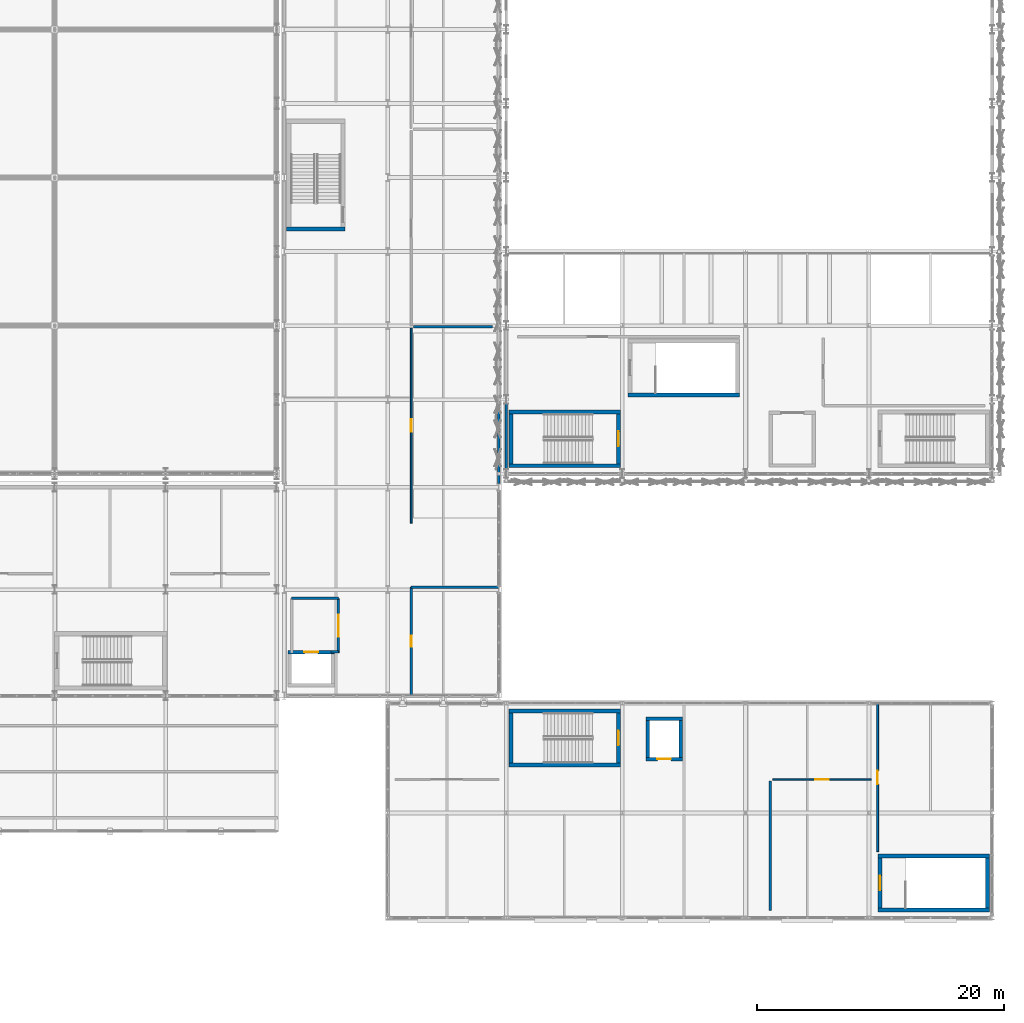
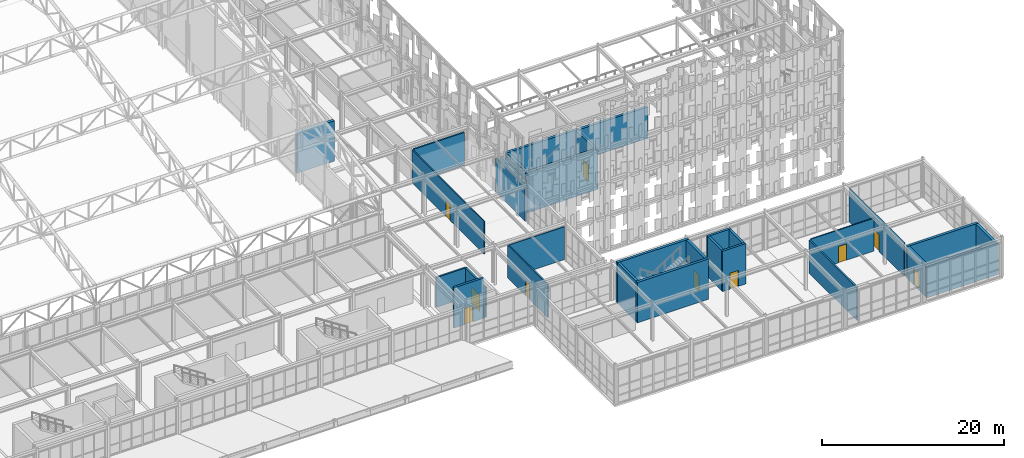
# One storey, part 204 of 239: 31 walls, 10 doors, 10 openings.
"""IFC4 building model written with IfcOpenShell, lengths in metres."""

from ifc_helpers import new_model, si_unit, direction, frame, frame_2d, origin, place, context, subcontext, project, spatial, rectangle, extrude, material, layer, layer_set, type_object, element, fill, save


model = new_model("IFC4")

# Units and contexts
model_context = context("Model", 3, precision=1e-05, world=origin(), true_north=direction((0.0, 1.0)))
body_context = subcontext(model_context, "Body", "Model", "MODEL_VIEW")
ifc_project = project(units=[si_unit("LENGTHUNIT", "METRE"), si_unit("AREAUNIT", "SQUARE_METRE"), si_unit("VOLUMEUNIT", "CUBIC_METRE"), si_unit("PLANEANGLEUNIT", "RADIAN"), si_unit("MASSUNIT", "GRAM", prefix="KILO")], contexts=[model_context])

# Site, building, storey
site_placement = place(None, origin())
site = spatial("IfcSite", under=ifc_project, at=site_placement, CompositionType="ELEMENT")
building_placement = place(site_placement, origin())
building = spatial("IfcBuilding", under=site, at=building_placement, Name="Kaldris Quays Convention Centre", CompositionType="ELEMENT")
storey_placement = place(building_placement, frame((0.0, 0.0, 11.39990234375)))
storey = spatial("IfcBuildingStorey", under=building, at=storey_placement, Name="L02", CompositionType="ELEMENT", Elevation=11.39990234375)

# Walls
ifc_material_1 = material(Name="Anodized aluminium insulated cassette", Category="aluminium")
ifc_layer_1 = layer(ifc_material_1, 0.221923828125)
ifc_layer_set_1 = layer_set([ifc_layer_1], Name="Anodized aluminium insulated cassette")
wall_type_1 = type_object("IfcWallType", Name="EXTERIOR WALL EW06", PredefinedType="STANDARD", material=ifc_layer_set_1)
wall_1_placement = place(storey_placement, frame((164.0, 55.196044921875, 0.0), z_axis=(0.0, 0.0, 1.0), x_axis=(0.0, 1.0, 0.0)))
element("IfcWall", 1, at=wall_1_placement, inside=storey, type_object=wall_type_1, Name="L02 Exterior Wall EW06 307", PredefinedType="STANDARD", context=body_context, shape_type="SweptSolid", body=[
    extrude(rectangle(XDim=6.508056640625, YDim=0.221923828125, at=frame_2d((3.25390625, 0.0))), origin(), (0.0, 0.0, 1.0), 4.548095703125),
])
ifc_layer_2 = layer(ifc_material_1, 0.201904296875)
ifc_layer_set_2 = layer_set([ifc_layer_2], Name="Anodized aluminium insulated cassette")
wall_type_2 = type_object("IfcWallType", Name="EXTERIOR WALL EW07", PredefinedType="STANDARD", material=ifc_layer_set_2)
wall_2_placement = place(storey_placement, frame((164.60009765625, 56.345947265625, 0.0), z_axis=(0.0, 0.0, 1.0), x_axis=(0.0, 1.0, 0.0)))
element("IfcWall", 2, at=wall_2_placement, inside=storey, type_object=wall_type_2, Name="L02 Exterior Wall EW07 137", PredefinedType="STANDARD", context=body_context, shape_type="SweptSolid", body=[
    extrude(rectangle(XDim=5.30810546875, YDim=0.201904296875, at=frame_2d((2.654052734375, 0.0))), origin(), (0.0, 0.0, 1.0), 4.548095703125),
])

# Wall, opening, door
ifc_material_2 = material(Name="Concrete C35/45", Category="concrete")
ifc_layer_3 = layer(ifc_material_2, 0.199951171875)
ifc_layer_set_3 = layer_set([ifc_layer_3], Name="Concrete C35/45")
wall_type_3 = type_object("IfcWallType", Name="INTERIOR WALL IW01", PredefinedType="PARTITIONING", material=ifc_layer_set_3)
wall_3_placement = place(storey_placement, frame((151.0, 41.449951171875, 0.0), z_axis=(0.0, 0.0, 1.0), x_axis=(0.0, 1.0, 0.0)))
wall_3 = element("IfcWall", 3, at=wall_3_placement, inside=storey, type_object=wall_type_3, Name="L02 Firefighting Lift Lobby FL02 Wall E", PredefinedType="PARTITIONING", context=body_context, shape_type="SweptSolid", body=[
    extrude(rectangle(XDim=4.449951171875, YDim=0.199951171875, at=frame_2d((2.22509765625, 0.0))), origin(), (0.0, 0.0, 1.0), 4.0),
])
opening_1_placement = place(wall_3_placement, frame((1.324951171875, 0.0, 0.0)))
opening_1 = element("IfcOpeningElement", 4, at=opening_1_placement, cuts=wall_3, Name="Opening ID02", PredefinedType="OPENING", context=body_context, shape_type="SweptSolid", body=[
    extrude(rectangle(XDim=1.800048828125, YDim=2.199951171875, at=frame_2d((0.89990234375, 1.10009765625))), frame((0.0, 0.10986328125, 0.0), z_axis=(0.0, -1.0, 0.0), x_axis=(1.0, 0.0, 0.0)), (0.0, 0.0, 1.0), 0.219970703125),
])
ifc_material_3 = material(Name="Steel S355J2 fire-resisting door", Category="steel")
door_type_1 = type_object("IfcDoorType", Name="INTERIOR DOOR ID02", OperationType="DOUBLE_DOOR_SINGLE_SWING", PredefinedType="DOOR", material=ifc_material_3)
door_1_placement = place(opening_1_placement, frame((1.800048828125, 0.0, 0.0), z_axis=(0.0, 0.0, 1.0), x_axis=(-1.0, 0.0, 0.0)))
door_1 = element("IfcDoor", 5, at=door_1_placement, inside=storey, type_object=door_type_1, Name="L02 Firefighting Lift Lobby FL02 Fire Door", OperationType="DOUBLE_DOOR_SINGLE_SWING", OverallHeight=2.199951171875, OverallWidth=1.800048828125, PredefinedType="DOOR", context=body_context, shape_type="SweptSolid", body=[
    extrude(rectangle(XDim=1.800048828125, YDim=2.199951171875, at=frame_2d((0.89990234375, 1.10009765625))), frame((0.0, 0.02490234375, 0.0), z_axis=(0.0, -1.0, 0.0), x_axis=(1.0, 0.0, 0.0)), (0.0, 0.0, 1.0), 0.050048828125),
])
fill(opening_1, door_1)

# Walls
wall_4_placement = place(storey_placement, frame((147.199951171875, 45.89990234375, 0.0), z_axis=(0.0, 0.0, 1.0), x_axis=(1.0, 0.0, 0.0)))
element("IfcWall", 6, at=wall_4_placement, inside=storey, type_object=wall_type_3, Name="L02 Firefighting Lift Lobby FL02 Wall N", PredefinedType="PARTITIONING", context=body_context, shape_type="SweptSolid", body=[
    extrude(rectangle(XDim=3.800048828125, YDim=0.199951171875, at=frame_2d((1.89990234375, 0.0))), origin(), (0.0, 0.0, 1.0), 4.0),
])
wall_5_placement = place(storey_placement, frame((150.39990234375, 41.56005859375, 0.0), z_axis=(0.0, 0.0, 1.0), x_axis=(1.0, 0.0, 0.0)))
element("IfcWall", 7, at=wall_5_placement, inside=storey, type_object=wall_type_3, Name="L02 Firefighting Lift Lobby FL02 Wall S", PredefinedType="PARTITIONING", context=body_context, shape_type="SweptSolid", body=[
    extrude(rectangle(XDim=0.60009765625, YDim=0.199951171875, at=frame_2d((0.300048828125, 0.0))), origin(), (0.0, 0.0, 1.0), 4.0),
])

# Wall, opening, door
ifc_material_4 = material(Name="Acoustic gypsum stud partition", Category="gypsum")
ifc_layer_4 = layer(ifc_material_4, 0.177978515625)
ifc_layer_set_4 = layer_set([ifc_layer_4], Name="Acoustic gypsum stud partition")
wall_type_4 = type_object("IfcWallType", Name="INTERIOR WALL IW02", PredefinedType="PARTITIONING", material=ifc_layer_set_4)
wall_6_placement = place(storey_placement, frame((156.89990234375, 38.0, 0.0), z_axis=(0.0, 0.0, 1.0), x_axis=(0.0, 1.0, 0.0)))
wall_6 = element("IfcWall", 8, at=wall_6_placement, inside=storey, type_object=wall_type_4, Name="L02 Interior Wall IW02 90", PredefinedType="PARTITIONING", context=body_context, shape_type="SweptSolid", body=[
    extrude(rectangle(XDim=8.800048828125, YDim=0.177978515625, at=frame_2d((4.39990234375, 0.0))), origin(), (0.0, 0.0, 1.0), 4.400146484375),
])
opening_2_placement = place(wall_6_placement, frame((3.949951171875, 0.0, 0.0)))
opening_2 = element("IfcOpeningElement", 9, at=opening_2_placement, cuts=wall_6, Name="Opening ID12", PredefinedType="OPENING", context=body_context, shape_type="SweptSolid", body=[
    extrude(rectangle(XDim=0.89990234375, YDim=2.080078125, at=frame_2d((0.449951171875, 1.0400390625))), frame((0.0, 0.09912109375, 0.0), z_axis=(0.0, -1.0, 0.0), x_axis=(1.0, 0.0, 0.0)), (0.0, 0.0, 1.0), 0.197998046875),
])
ifc_material_5 = material(Name="Moisture-resistant sanitary room door", Category="wood")
door_type_2 = type_object("IfcDoorType", Name="INTERIOR DOOR ID12", OperationType="NOTDEFINED", PredefinedType="DOOR", material=ifc_material_5)
door_2_placement = place(opening_2_placement, origin())
door_2 = element("IfcDoor", 10, at=door_2_placement, inside=storey, type_object=door_type_2, Name="L02 Interior Door ID12 62", OperationType="SINGLE_SWING_LEFT", OverallHeight=2.080078125, OverallWidth=0.89990234375, PredefinedType="DOOR", context=body_context, shape_type="SweptSolid", body=[
    extrude(rectangle(XDim=0.89990234375, YDim=2.080078125, at=frame_2d((0.449951171875, 1.0400390625))), frame((0.0, 0.02490234375, 0.0), z_axis=(0.0, -1.0, 0.0), x_axis=(1.0, 0.0, 0.0)), (0.0, 0.0, 1.0), 0.050048828125),
])
fill(opening_2, door_2)

# Wall
wall_7_placement = place(storey_placement, frame((156.89990234375, 46.800048828125, 0.0), z_axis=(0.0, 0.0, 1.0), x_axis=(1.0, 0.0, 0.0)))
element("IfcWall", 11, at=wall_7_placement, inside=storey, type_object=wall_type_4, Name="L02 Interior Wall IW02 91", PredefinedType="PARTITIONING", context=body_context, shape_type="SweptSolid", body=[
    extrude(rectangle(XDim=7.10009765625, YDim=0.177978515625, at=frame_2d((3.550048828125, 0.0))), origin(), (0.0, 0.0, 1.0), 4.400146484375),
])

# Wall, opening, door
ifc_layer_5 = layer(ifc_material_4, 0.162109375)
ifc_layer_set_5 = layer_set([ifc_layer_5], Name="Acoustic gypsum stud partition")
wall_type_5 = type_object("IfcWallType", Name="INTERIOR WALL IW03", PredefinedType="PARTITIONING", material=ifc_layer_set_5)
wall_8_placement = place(storey_placement, frame((194.699951171875, 25.35498046875, 0.0), z_axis=(0.0, 0.0, 1.0), x_axis=(0.0, 1.0, 0.0)))
wall_8 = element("IfcWall", 12, at=wall_8_placement, inside=storey, type_object=wall_type_5, Name="L02 Interior Wall IW03 105", PredefinedType="PARTITIONING", context=body_context, shape_type="SweptSolid", body=[
    extrude(rectangle(XDim=12.044921875, YDim=0.162109375, at=frame_2d((6.0224609375, 0.0))), origin(), (0.0, 0.0, 1.0), 4.400146484375),
])
opening_3_placement = place(wall_8_placement, frame((5.46240234375, 0.0, 0.0)))
opening_3 = element("IfcOpeningElement", 13, at=opening_3_placement, cuts=wall_8, Name="Opening ID06", PredefinedType="OPENING", context=body_context, shape_type="SweptSolid", body=[
    extrude(rectangle(XDim=1.1201171875, YDim=2.219970703125, at=frame_2d((0.56005859375, 1.10986328125))), frame((0.0, 0.091064453125, 0.0), z_axis=(0.0, -1.0, 0.0), x_axis=(1.0, 0.0, 0.0)), (0.0, 0.0, 1.0), 0.18212890625),
])
ifc_material_6 = material(Name="Timber acoustic leaf in steel frame", Category="steel")
door_type_3 = type_object("IfcDoorType", Name="INTERIOR DOOR ID06", OperationType="NOTDEFINED", PredefinedType="DOOR", material=ifc_material_6)
door_3_placement = place(opening_3_placement, origin())
door_3 = element("IfcDoor", 14, at=door_3_placement, inside=storey, type_object=door_type_3, Name="L02 Interior Door ID06 70", OperationType="SINGLE_SWING_LEFT", OverallHeight=2.219970703125, OverallWidth=1.1201171875, PredefinedType="DOOR", context=body_context, shape_type="SweptSolid", body=[
    extrude(rectangle(XDim=1.1201171875, YDim=2.219970703125, at=frame_2d((0.56005859375, 1.10986328125))), frame((0.0, 0.02490234375, 0.0), z_axis=(0.0, -1.0, 0.0), x_axis=(1.0, 0.0, 0.0)), (0.0, 0.0, 1.0), 0.050048828125),
])
fill(opening_3, door_3)

ifc_layer_6 = layer(ifc_material_4, 0.134033203125)
ifc_layer_set_6 = layer_set([ifc_layer_6], Name="Acoustic gypsum stud partition")
wall_type_6 = type_object("IfcWallType", Name="INTERIOR WALL IW05", PredefinedType="PARTITIONING", material=ifc_layer_set_6)
wall_9_placement = place(storey_placement, frame((156.89990234375, 52.0, 0.0), z_axis=(0.0, 0.0, 1.0), x_axis=(0.0, 1.0, 0.0)))
wall_9 = element("IfcWall", 15, at=wall_9_placement, inside=storey, type_object=wall_type_6, Name="L02 Interior Wall IW05 92", PredefinedType="PARTITIONING", context=body_context, shape_type="SweptSolid", body=[
    extrude(rectangle(XDim=15.800048828125, YDim=0.134033203125, at=frame_2d((7.89990234375, 0.0))), origin(), (0.0, 0.0, 1.0), 4.400146484375),
])
opening_4_placement = place(wall_9_placement, frame((7.409912109375, 0.0, 0.0)))
opening_4 = element("IfcOpeningElement", 16, at=opening_4_placement, cuts=wall_9, Name="Opening ID13", PredefinedType="OPENING", context=body_context, shape_type="SweptSolid", body=[
    extrude(rectangle(XDim=0.97998046875, YDim=2.139892578125, at=frame_2d((0.489990234375, 1.06982421875))), frame((0.0, 0.0771484375, 0.0), z_axis=(0.0, -1.0, 0.0), x_axis=(1.0, 0.0, 0.0)), (0.0, 0.0, 1.0), 0.154052734375),
])
ifc_material_7 = material(Name="SIA 500 accessible sanitary room door", Category="wood")
door_type_4 = type_object("IfcDoorType", Name="INTERIOR DOOR ID13", OperationType="NOTDEFINED", PredefinedType="DOOR", material=ifc_material_7)
door_4_placement = place(opening_4_placement, origin())
door_4 = element("IfcDoor", 17, at=door_4_placement, inside=storey, type_object=door_type_4, Name="L02 Interior Door ID13 63", OperationType="SINGLE_SWING_RIGHT", OverallHeight=2.139892578125, OverallWidth=0.97998046875, PredefinedType="DOOR", context=body_context, shape_type="SweptSolid", body=[
    extrude(rectangle(XDim=0.97998046875, YDim=2.139892578125, at=frame_2d((0.489990234375, 1.06982421875))), frame((0.0, 0.02490234375, 0.0), z_axis=(0.0, -1.0, 0.0), x_axis=(1.0, 0.0, 0.0)), (0.0, 0.0, 1.0), 0.050048828125),
])
fill(opening_4, door_4)

wall_10_placement = place(storey_placement, frame((186.199951171875, 31.199951171875, 0.0), z_axis=(0.0, 0.0, 1.0), x_axis=(1.0, 0.0, 0.0)))
wall_10 = element("IfcWall", 18, at=wall_10_placement, inside=storey, type_object=wall_type_6, Name="L02 Interior Wall IW05 103", PredefinedType="PARTITIONING", context=body_context, shape_type="SweptSolid", body=[
    extrude(rectangle(XDim=8.0, YDim=0.134033203125, at=frame_2d((4.0, 0.0))), origin(), (0.0, 0.0, 1.0), 4.400146484375),
])
opening_5_placement = place(wall_10_placement, frame((3.469970703125, 0.0, 0.0)))
opening_5 = element("IfcOpeningElement", 19, at=opening_5_placement, cuts=wall_10, Name="Opening ID05", PredefinedType="OPENING", context=body_context, shape_type="SweptSolid", body=[
    extrude(rectangle(XDim=1.06005859375, YDim=2.179931640625, at=frame_2d((0.530029296875, 1.08984375))), frame((0.0, 0.0771484375, 0.0), z_axis=(0.0, -1.0, 0.0), x_axis=(1.0, 0.0, 0.0)), (0.0, 0.0, 1.0), 0.154052734375),
])
door_type_5 = type_object("IfcDoorType", Name="INTERIOR DOOR ID05", OperationType="NOTDEFINED", PredefinedType="DOOR", material=ifc_material_6)
door_5_placement = place(opening_5_placement, origin())
door_5 = element("IfcDoor", 20, at=door_5_placement, inside=storey, type_object=door_type_5, Name="L02 Interior Door ID05 69", OperationType="SINGLE_SWING_RIGHT", OverallHeight=2.179931640625, OverallWidth=1.06005859375, PredefinedType="DOOR", context=body_context, shape_type="SweptSolid", body=[
    extrude(rectangle(XDim=1.06005859375, YDim=2.179931640625, at=frame_2d((0.530029296875, 1.08984375))), frame((0.0, 0.02490234375, 0.0), z_axis=(0.0, -1.0, 0.0), x_axis=(1.0, 0.0, 0.0)), (0.0, 0.0, 1.0), 0.050048828125),
])
fill(opening_5, door_5)

# Walls
ifc_material_8 = material(Name="Steel S355J2 acoustic operable panel", Category="steel")
ifc_layer_7 = layer(ifc_material_8, 0.194091796875)
ifc_layer_set_7 = layer_set([ifc_layer_7], Name="Steel S355J2 acoustic operable panel")
wall_type_7 = type_object("IfcWallType", Name="INTERIOR WALL MW03", PredefinedType="MOVABLE", material=ifc_layer_set_7)
wall_11_placement = place(storey_placement, frame((157.10009765625, 67.89990234375, 0.0), z_axis=(0.0, 0.0, 1.0), x_axis=(1.0, 0.0, 0.0)))
element("IfcWall", 21, at=wall_11_placement, inside=storey, type_object=wall_type_7, Name="L02 Interior Wall MW03 97", PredefinedType="MOVABLE", context=body_context, shape_type="SweptSolid", body=[
    extrude(rectangle(XDim=6.39990234375, YDim=0.194091796875, at=frame_2d((3.199951171875, 0.0))), origin(), (0.0, 0.0, 1.0), 4.400146484375),
])
wall_12_placement = place(storey_placement, frame((186.0, 20.60009765625, 0.0), z_axis=(0.0, 0.0, 1.0), x_axis=(0.0, 1.0, 0.0)))
element("IfcWall", 22, at=wall_12_placement, inside=storey, type_object=wall_type_7, Name="L02 Interior Wall MW03 104", PredefinedType="MOVABLE", context=body_context, shape_type="SweptSolid", body=[
    extrude(rectangle(XDim=10.5, YDim=0.194091796875, at=frame_2d((5.25, 0.0))), origin(), (0.0, 0.0, 1.0), 4.400146484375),
])
ifc_material_9 = material(Name="Concrete C40/50", Category="concrete")
ifc_layer_8 = layer(ifc_material_9, 0.35009765625)
ifc_layer_set_8 = layer_set([ifc_layer_8], Name="Concrete C40/50")
wall_type_8 = type_object("IfcWallType", Name="STRUCTURAL WALL SW01", PredefinedType="SHEAR", material=ifc_layer_set_8)
wall_13_placement = place(storey_placement, frame((146.800048828125, 75.824951171875, 0.0), z_axis=(0.0, 0.0, 1.0), x_axis=(1.0, 0.0, 0.0)))
element("IfcWall", 23, at=wall_13_placement, inside=storey, type_object=wall_type_8, Name="L02 Core Shear Wall CORE-ST14-L02-S", PredefinedType="SHEAR", context=body_context, shape_type="SweptSolid", body=[
    extrude(rectangle(XDim=4.75, YDim=0.35009765625, at=frame_2d((2.375, 0.0))), origin(), (0.0, 0.0, 1.0), 5.400146484375),
])
ifc_layer_9 = layer(ifc_material_9, 0.320068359375)
ifc_layer_set_9 = layer_set([ifc_layer_9], Name="Concrete C40/50")
wall_type_9 = type_object("IfcWallType", Name="STRUCTURAL WALL SW02", PredefinedType="SHEAR", material=ifc_layer_set_9)
for number, where, z_axis, x_axis, name in (
    (24, (164.830078125, 56.639892578125, 0.0), (0.0, 0.0, 1.0), (1.0, 0.0, 0.0), "L02 Core Shear Wall CORE-ST08-L02-S"),
    (25, (164.830078125, 61.010009765625, 0.0), (0.0, 0.0, 1.0), (1.0, 0.0, 0.0), "L02 Core Shear Wall CORE-ST08-L02-N"),
):
    element("IfcWall", number, at=place(storey_placement, frame(where, z_axis=z_axis, x_axis=x_axis)), inside=storey, type_object=wall_type_9, Name=name, PredefinedType="SHEAR", context=body_context, shape_type="SweptSolid", body=[
        extrude(rectangle(XDim=9.0400390625, YDim=0.320068359375, at=frame_2d((4.52001953125, 0.0))), origin(), (0.0, 0.0, 1.0), 5.400146484375),
    ])
wall_14_placement = place(storey_placement, frame((164.989990234375, 56.800048828125, 0.0), z_axis=(0.0, 0.0, 1.0), x_axis=(0.0, 1.0, 0.0)))
element("IfcWall", 26, at=wall_14_placement, inside=storey, type_object=wall_type_9, Name="L02 Core Shear Wall CORE-ST08-L02-W", PredefinedType="SHEAR", context=body_context, shape_type="SweptSolid", body=[
    extrude(rectangle(XDim=4.050048828125, YDim=0.320068359375, at=frame_2d((2.02490234375, 0.0))), origin(), (0.0, 0.0, 1.0), 5.400146484375),
])

# Wall, opening, door
wall_15_placement = place(storey_placement, frame((173.7099609375, 56.800048828125, 0.0), z_axis=(0.0, 0.0, 1.0), x_axis=(0.0, 1.0, 0.0)))
wall_15 = element("IfcWall", 27, at=wall_15_placement, inside=storey, type_object=wall_type_9, Name="L02 Core Shear Wall CORE-ST08-L02-E", PredefinedType="SHEAR", context=body_context, shape_type="SweptSolid", body=[
    extrude(rectangle(XDim=4.050048828125, YDim=0.320068359375, at=frame_2d((2.02490234375, 0.0))), origin(), (0.0, 0.0, 1.0), 5.400146484375),
])
opening_6_placement = place(wall_15_placement, frame((1.425048828125, 0.0, 0.0)))
opening_6 = element("IfcOpeningElement", 28, at=opening_6_placement, cuts=wall_15, Name="Opening ID03", PredefinedType="OPENING", context=body_context, shape_type="SweptSolid", body=[
    extrude(rectangle(XDim=1.199951171875, YDim=2.199951171875, at=frame_2d((0.60009765625, 1.10009765625))), frame((0.0, 0.169921875, 0.0), z_axis=(0.0, -1.0, 0.0), x_axis=(1.0, 0.0, 0.0)), (0.0, 0.0, 1.0), 0.340087890625),
])
door_type_6 = type_object("IfcDoorType", Name="INTERIOR DOOR ID03", OperationType="NOTDEFINED", PredefinedType="DOOR", material=ifc_material_3)
door_6_placement = place(opening_6_placement, origin())
door_6 = element("IfcDoor", 29, at=door_6_placement, inside=storey, type_object=door_type_6, Name="L02 Escape Stair ST08 Fire Door", OperationType="SINGLE_SWING_RIGHT", OverallHeight=2.199951171875, OverallWidth=1.199951171875, PredefinedType="DOOR", context=body_context, shape_type="SweptSolid", body=[
    extrude(rectangle(XDim=1.199951171875, YDim=2.199951171875, at=frame_2d((0.60009765625, 1.10009765625))), frame((0.0, 0.02490234375, 0.0), z_axis=(0.0, -1.0, 0.0), x_axis=(1.0, 0.0, 0.0)), (0.0, 0.0, 1.0), 0.050048828125),
])
fill(opening_6, door_6)

# Walls
wall_16_placement = place(storey_placement, frame((174.47998046875, 62.389892578125, 0.0), z_axis=(0.0, 0.0, 1.0), x_axis=(1.0, 0.0, 0.0)))
element("IfcWall", 30, at=wall_16_placement, inside=storey, type_object=wall_type_9, Name="L02 Core Shear Wall CORE-ST10-L02-S", PredefinedType="SHEAR", context=body_context, shape_type="SweptSolid", body=[
    extrude(rectangle(XDim=9.0400390625, YDim=0.320068359375, at=frame_2d((4.52001953125, 0.0))), origin(), (0.0, 0.0, 1.0), 4.2001953125),
])
for number, where, z_axis, x_axis, name in (
    (31, (164.830078125, 32.389892578125, 0.0), (0.0, 0.0, 1.0), (1.0, 0.0, 0.0), "L02 Core Shear Wall CORE-ST15-L02-S"),
    (32, (164.830078125, 36.760009765625, 0.0), (0.0, 0.0, 1.0), (1.0, 0.0, 0.0), "L02 Core Shear Wall CORE-ST15-L02-N"),
):
    element("IfcWall", number, at=place(storey_placement, frame(where, z_axis=z_axis, x_axis=x_axis)), inside=storey, type_object=wall_type_9, Name=name, PredefinedType="SHEAR", context=body_context, shape_type="SweptSolid", body=[
        extrude(rectangle(XDim=9.0400390625, YDim=0.320068359375, at=frame_2d((4.52001953125, 0.0))), origin(), (0.0, 0.0, 1.0), 5.400146484375),
    ])
wall_17_placement = place(storey_placement, frame((164.989990234375, 32.550048828125, 0.0), z_axis=(0.0, 0.0, 1.0), x_axis=(0.0, 1.0, 0.0)))
element("IfcWall", 33, at=wall_17_placement, inside=storey, type_object=wall_type_9, Name="L02 Core Shear Wall CORE-ST15-L02-W", PredefinedType="SHEAR", context=body_context, shape_type="SweptSolid", body=[
    extrude(rectangle(XDim=4.050048828125, YDim=0.320068359375, at=frame_2d((2.02490234375, 0.0))), origin(), (0.0, 0.0, 1.0), 5.400146484375),
])

# Wall, opening, door
wall_18_placement = place(storey_placement, frame((173.7099609375, 32.550048828125, 0.0), z_axis=(0.0, 0.0, 1.0), x_axis=(0.0, 1.0, 0.0)))
wall_18 = element("IfcWall", 34, at=wall_18_placement, inside=storey, type_object=wall_type_9, Name="L02 Core Shear Wall CORE-ST15-L02-E", PredefinedType="SHEAR", context=body_context, shape_type="SweptSolid", body=[
    extrude(rectangle(XDim=4.050048828125, YDim=0.320068359375, at=frame_2d((2.02490234375, 0.0))), origin(), (0.0, 0.0, 1.0), 5.400146484375),
])
opening_7_placement = place(wall_18_placement, frame((1.425048828125, 0.0, 0.0)))
opening_7 = element("IfcOpeningElement", 35, at=opening_7_placement, cuts=wall_18, Name="Opening ID03", PredefinedType="OPENING", context=body_context, shape_type="SweptSolid", body=[
    extrude(rectangle(XDim=1.199951171875, YDim=2.199951171875, at=frame_2d((0.60009765625, 1.10009765625))), frame((0.0, 0.169921875, 0.0), z_axis=(0.0, -1.0, 0.0), x_axis=(1.0, 0.0, 0.0)), (0.0, 0.0, 1.0), 0.340087890625),
])
door_7_placement = place(opening_7_placement, origin())
door_7 = element("IfcDoor", 36, at=door_7_placement, inside=storey, type_object=door_type_6, Name="L02 Escape Stair ST15 Fire Door", OperationType="SINGLE_SWING_RIGHT", OverallHeight=2.199951171875, OverallWidth=1.199951171875, PredefinedType="DOOR", context=body_context, shape_type="SweptSolid", body=[
    extrude(rectangle(XDim=1.199951171875, YDim=2.199951171875, at=frame_2d((0.60009765625, 1.10009765625))), frame((0.0, 0.02490234375, 0.0), z_axis=(0.0, -1.0, 0.0), x_axis=(1.0, 0.0, 0.0)), (0.0, 0.0, 1.0), 0.050048828125),
])
fill(opening_7, door_7)

# Walls
for number, where, z_axis, x_axis, name in (
    (37, (194.72998046875, 20.639892578125, 0.0), (0.0, 0.0, 1.0), (1.0, 0.0, 0.0), "L02 Core Shear Wall CORE-ST16-L02-S"),
    (38, (194.72998046875, 25.010009765625, 0.0), (0.0, 0.0, 1.0), (1.0, 0.0, 0.0), "L02 Core Shear Wall CORE-ST16-L02-N"),
):
    element("IfcWall", number, at=place(storey_placement, frame(where, z_axis=z_axis, x_axis=x_axis)), inside=storey, type_object=wall_type_9, Name=name, PredefinedType="SHEAR", context=body_context, shape_type="SweptSolid", body=[
        extrude(rectangle(XDim=9.0400390625, YDim=0.320068359375, at=frame_2d((4.52001953125, 0.0))), origin(), (0.0, 0.0, 1.0), 4.2001953125),
    ])

# Wall, opening, door
wall_19_placement = place(storey_placement, frame((194.889892578125, 20.800048828125, 0.0), z_axis=(0.0, 0.0, 1.0), x_axis=(0.0, 1.0, 0.0)))
wall_19 = element("IfcWall", 39, at=wall_19_placement, inside=storey, type_object=wall_type_9, Name="L02 Core Shear Wall CORE-ST16-L02-W", PredefinedType="SHEAR", context=body_context, shape_type="SweptSolid", body=[
    extrude(rectangle(XDim=4.050048828125, YDim=0.320068359375, at=frame_2d((2.02490234375, 0.0))), origin(), (0.0, 0.0, 1.0), 4.2001953125),
])
opening_8_placement = place(wall_19_placement, frame((1.425048828125, 0.0, 0.0)))
opening_8 = element("IfcOpeningElement", 40, at=opening_8_placement, cuts=wall_19, Name="Opening ID03", PredefinedType="OPENING", context=body_context, shape_type="SweptSolid", body=[
    extrude(rectangle(XDim=1.199951171875, YDim=2.199951171875, at=frame_2d((0.60009765625, 1.10009765625))), frame((0.0, 0.169921875, 0.0), z_axis=(0.0, -1.0, 0.0), x_axis=(1.0, 0.0, 0.0)), (0.0, 0.0, 1.0), 0.340087890625),
])
door_8_placement = place(opening_8_placement, frame((1.199951171875, 0.0, 0.0), z_axis=(0.0, 0.0, 1.0), x_axis=(-1.0, 0.0, 0.0)))
door_8 = element("IfcDoor", 41, at=door_8_placement, inside=storey, type_object=door_type_6, Name="L02 Escape Stair ST16 Fire Door", OperationType="SINGLE_SWING_LEFT", OverallHeight=2.199951171875, OverallWidth=1.199951171875, PredefinedType="DOOR", context=body_context, shape_type="SweptSolid", body=[
    extrude(rectangle(XDim=1.199951171875, YDim=2.199951171875, at=frame_2d((0.60009765625, 1.10009765625))), frame((0.0, 0.02490234375, 0.0), z_axis=(0.0, -1.0, 0.0), x_axis=(1.0, 0.0, 0.0)), (0.0, 0.0, 1.0), 0.050048828125),
])
fill(opening_8, door_8)

# Wall
wall_20_placement = place(storey_placement, frame((203.610107421875, 20.800048828125, 0.0), z_axis=(0.0, 0.0, 1.0), x_axis=(0.0, 1.0, 0.0)))
element("IfcWall", 42, at=wall_20_placement, inside=storey, type_object=wall_type_9, Name="L02 Core Shear Wall CORE-ST16-L02-E", PredefinedType="SHEAR", context=body_context, shape_type="SweptSolid", body=[
    extrude(rectangle(XDim=4.050048828125, YDim=0.320068359375, at=frame_2d((2.02490234375, 0.0))), origin(), (0.0, 0.0, 1.0), 4.2001953125),
])

# Wall, opening, door
ifc_layer_10 = layer(ifc_material_9, 0.280029296875)
ifc_layer_set_10 = layer_set([ifc_layer_10], Name="Concrete C40/50")
wall_type_10 = type_object("IfcWallType", Name="STRUCTURAL WALL SW03", PredefinedType="SHEAR", material=ifc_layer_set_10)
wall_21_placement = place(storey_placement, frame((146.919921875, 41.5400390625, 0.0), z_axis=(0.0, 0.0, 1.0), x_axis=(1.0, 0.0, 0.0)))
wall_21 = element("IfcWall", 43, at=wall_21_placement, inside=storey, type_object=wall_type_10, Name="L02 Core Shear Wall LSHAFT-FL02-L02-N", PredefinedType="SHEAR", context=body_context, shape_type="SweptSolid", body=[
    extrude(rectangle(XDim=3.760009765625, YDim=0.280029296875, at=frame_2d((1.8798828125, 0.0))), origin(), (0.0, 0.0, 1.0), 5.400146484375),
])
opening_9_placement = place(wall_21_placement, frame((1.330078125, 0.0, 0.0)))
opening_9 = element("IfcOpeningElement", 44, at=opening_9_placement, cuts=wall_21, Name="Opening LD01", PredefinedType="OPENING", context=body_context, shape_type="SweptSolid", body=[
    extrude(rectangle(XDim=1.10009765625, YDim=2.14990234375, at=frame_2d((0.550048828125, 1.074951171875))), frame((0.0, 0.14990234375, 0.0), z_axis=(0.0, -1.0, 0.0), x_axis=(1.0, 0.0, 0.0)), (0.0, 0.0, 1.0), 0.300048828125),
])
ifc_material_10 = material(Name="Stainless steel 1.4301 lift landing door", Category="steel")
door_type_7 = type_object("IfcDoorType", Name="INTERIOR DOOR LD01", OperationType="DOUBLE_DOOR_SLIDING", PredefinedType="DOOR", material=ifc_material_10)
door_9_placement = place(opening_9_placement, origin())
door_9 = element("IfcDoor", 45, at=door_9_placement, inside=storey, type_object=door_type_7, Name="L02 FL02 Sliding Lift Landing Door", OperationType="DOUBLE_DOOR_SLIDING", OverallHeight=2.14990234375, OverallWidth=1.10009765625, PredefinedType="DOOR", context=body_context, shape_type="SweptSolid", body=[
    extrude(rectangle(XDim=1.10009765625, YDim=2.14990234375, at=frame_2d((0.550048828125, 1.074951171875))), frame((0.0, 0.02490234375, 0.0), z_axis=(0.0, -1.0, 0.0), x_axis=(1.0, 0.0, 0.0)), (0.0, 0.0, 1.0), 0.050048828125),
])
fill(opening_9, door_9)

wall_22_placement = place(storey_placement, frame((175.919921875, 32.860107421875, 0.0), z_axis=(0.0, 0.0, 1.0), x_axis=(1.0, 0.0, 0.0)))
wall_22 = element("IfcWall", 46, at=wall_22_placement, inside=storey, type_object=wall_type_10, Name="L02 Core Shear Wall LSHAFT-PL02-L02-S", PredefinedType="SHEAR", context=body_context, shape_type="SweptSolid", body=[
    extrude(rectangle(XDim=2.9599609375, YDim=0.280029296875, at=frame_2d((1.47998046875, 0.0))), origin(), (0.0, 0.0, 1.0), 5.400146484375),
])
opening_10_placement = place(wall_22_placement, frame((0.929931640625, 0.0, 0.0)))
opening_10 = element("IfcOpeningElement", 47, at=opening_10_placement, cuts=wall_22, Name="Opening LD01", PredefinedType="OPENING", context=body_context, shape_type="SweptSolid", body=[
    extrude(rectangle(XDim=1.10009765625, YDim=2.14990234375, at=frame_2d((0.550048828125, 1.074951171875))), frame((0.0, 0.14990234375, 0.0), z_axis=(0.0, -1.0, 0.0), x_axis=(1.0, 0.0, 0.0)), (0.0, 0.0, 1.0), 0.300048828125),
])
door_10_placement = place(opening_10_placement, origin())
door_10 = element("IfcDoor", 48, at=door_10_placement, inside=storey, type_object=door_type_7, Name="L02 PL02 Sliding Lift Landing Door", OperationType="DOUBLE_DOOR_SLIDING", OverallHeight=2.14990234375, OverallWidth=1.10009765625, PredefinedType="DOOR", context=body_context, shape_type="SweptSolid", body=[
    extrude(rectangle(XDim=1.10009765625, YDim=2.14990234375, at=frame_2d((0.550048828125, 1.074951171875))), frame((0.0, 0.02490234375, 0.0), z_axis=(0.0, -1.0, 0.0), x_axis=(1.0, 0.0, 0.0)), (0.0, 0.0, 1.0), 0.050048828125),
])
fill(opening_10, door_10)

# Walls
wall_23_placement = place(storey_placement, frame((175.919921875, 36.139892578125, 0.0), z_axis=(0.0, 0.0, 1.0), x_axis=(1.0, 0.0, 0.0)))
element("IfcWall", 49, at=wall_23_placement, inside=storey, type_object=wall_type_10, Name="L02 Core Shear Wall LSHAFT-PL02-L02-N", PredefinedType="SHEAR", context=body_context, shape_type="SweptSolid", body=[
    extrude(rectangle(XDim=2.9599609375, YDim=0.280029296875, at=frame_2d((1.47998046875, 0.0))), origin(), (0.0, 0.0, 1.0), 5.400146484375),
])
for number, where, z_axis, x_axis, name in (
    (50, (176.06005859375, 33.0, 0.0), (0.0, 0.0, 1.0), (0.0, 1.0, 0.0), "L02 Core Shear Wall LSHAFT-PL02-L02-W"),
    (51, (178.739990234375, 33.0, 0.0), (0.0, 0.0, 1.0), (0.0, 1.0, 0.0), "L02 Core Shear Wall LSHAFT-PL02-L02-E"),
):
    element("IfcWall", number, at=place(storey_placement, frame(where, z_axis=z_axis, x_axis=x_axis)), inside=storey, type_object=wall_type_10, Name=name, PredefinedType="SHEAR", context=body_context, shape_type="SweptSolid", body=[
        extrude(rectangle(XDim=3.0, YDim=0.280029296875, at=frame_2d((1.5, 0.0))), origin(), (0.0, 0.0, 1.0), 5.400146484375),
    ])

save(model, "model.ifc")
